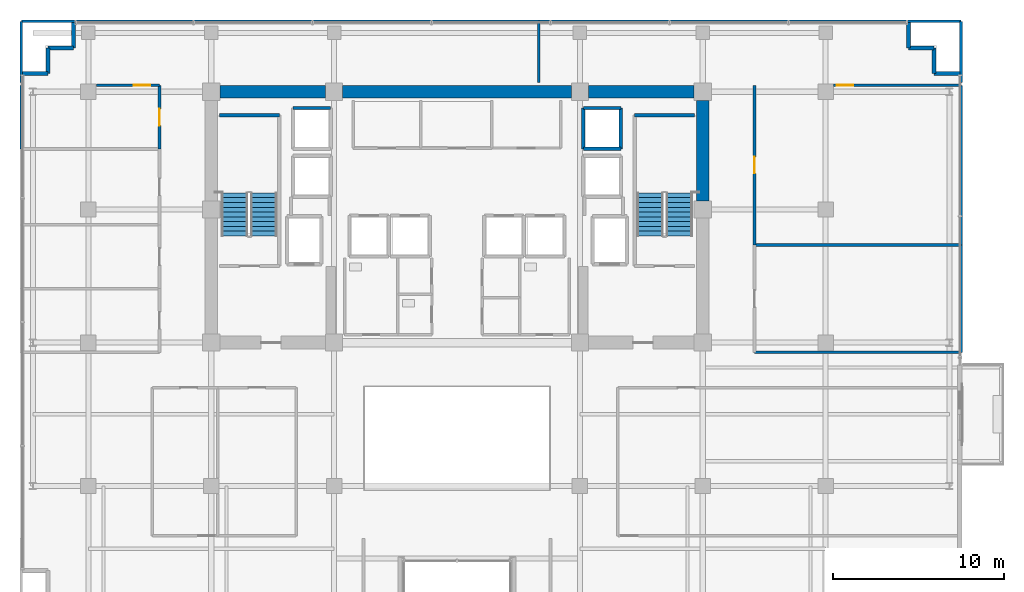
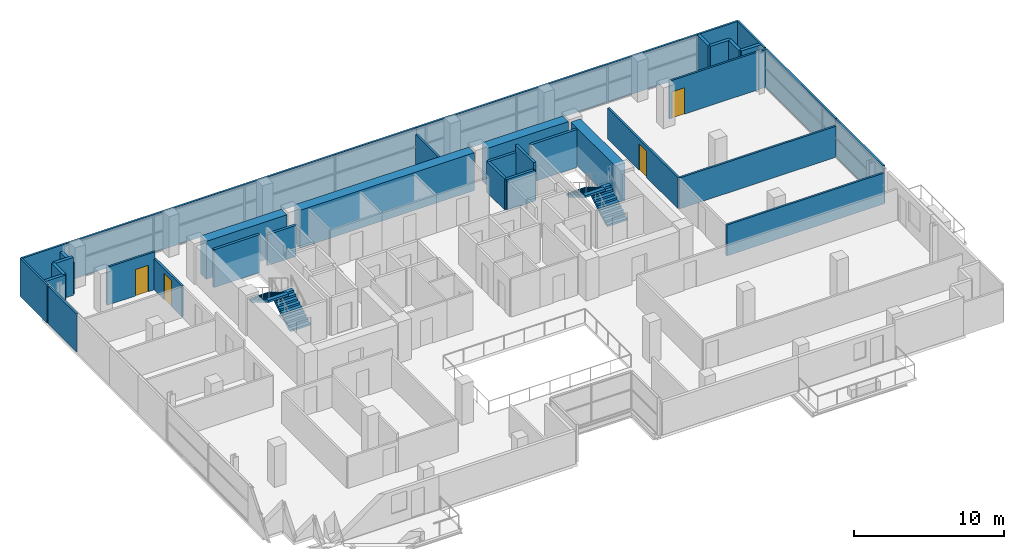
# One storey, part 20 of 24: 33 walls, 4 doors, 4 stair flights, 4 openings, 2 elements without a shape of their own.
"""IFC4 building model written with IfcOpenShell, lengths in metres."""

import ifcopenshell
import ifcopenshell.guid

model = None  # the IFC model being written
_history = None  # IfcOwnerHistory: only IFC2X3 demands one
_inside = {}  # id of a spatial element -> (the spatial element, [elements in it])
_under = {}  # id of a project, library or spatial element -> (it, [spatial elements below it])
_declared = {}  # id of a project -> (the project, [libraries it declares])
_typed = {}  # id of a type object -> (the type object, [elements of that type])
_made_of = {}  # id of a material, layer set ... -> (it, [elements and type objects made of it])


def new_model(schema):
    """Start an empty IFC model of exactly this schema.

    Asked for "IFC4X3", IfcOpenShell would pick the latest addendum, in which some entities
    have other attributes; the version numbers below select the first issue.
    IFC2X3 requires an IfcOwnerHistory on every rooted entity: one is made here for all.
    """
    global model, _history
    if schema == "IFC4X3":
        model = ifcopenshell.file(schema_version=(4, 3, 0, 0))
    else:
        model = ifcopenshell.file(schema=schema)
    _inside.clear()
    _under.clear()
    _declared.clear()
    _typed.clear()
    _made_of.clear()
    _history = None
    if model.schema == "IFC2X3":
        org = make("IfcOrganization", Name="unknown")
        user = make(
            "IfcPersonAndOrganization",
            ThePerson=make("IfcPerson", FamilyName="unknown"),
            TheOrganization=org,
        )
        app = make(
            "IfcApplication",
            ApplicationDeveloper=org,
            Version="unknown",
            ApplicationFullName="unknown",
            ApplicationIdentifier="unknown",
        )
        _history = make(
            "IfcOwnerHistory",
            OwningUser=user,
            OwningApplication=app,
            ChangeAction="ADDED",
            CreationDate=0,
        )
    return model


def make(cls, **values):
    """One entity of the class cls with the attributes given. An attribute that is None is left unset."""
    return model.create_entity(
        cls, **{name: value for name, value in values.items() if value is not None}
    )


def rooted(cls, **values):
    """An entity with a GlobalId (a new one), such as an element, a storey or a relation."""
    return make(cls, GlobalId=ifcopenshell.guid.new(), OwnerHistory=_history, **values)


def si_unit(unit_type, name, prefix=None):
    """IfcSIUnit, for example si_unit("LENGTHUNIT", "METRE", prefix="MILLI")."""
    return make("IfcSIUnit", UnitType=unit_type, Prefix=prefix, Name=name)


def assignment(units):
    """IfcUnitAssignment: the units of a project."""
    return None if units is None else make("IfcUnitAssignment", Units=units)


def point(xyz):
    """IfcCartesianPoint."""
    return None if xyz is None else make("IfcCartesianPoint", Coordinates=xyz)


def direction(xyz):
    """IfcDirection."""
    return None if xyz is None else make("IfcDirection", DirectionRatios=xyz)


def frame(location, z_axis=None, x_axis=None):
    """IfcAxis2Placement3D, a coordinate frame: its origin and axes. An axis left out is left unset."""
    return make(
        "IfcAxis2Placement3D",
        Location=point(location),
        Axis=direction(z_axis),
        RefDirection=direction(x_axis),
    )


def frame_2d(location, x_axis=None):
    """IfcAxis2Placement2D, a coordinate frame in the plane: its origin and x axis."""
    return make(
        "IfcAxis2Placement2D", Location=point(location), RefDirection=direction(x_axis)
    )


def origin():
    """The frame at (0, 0, 0) with its axes left unset."""
    return frame((0.0, 0.0, 0.0))


def place(relative_to, where):
    """IfcLocalPlacement: puts the frame where relative to a parent placement (None: the world)."""
    return make(
        "IfcLocalPlacement", PlacementRelTo=relative_to, RelativePlacement=where
    )


def context(
    kind, dimensions, precision=None, world=None, true_north=None, identifier=None
):
    """IfcGeometricRepresentationContext, for example the 3D "Model" context."""
    return make(
        "IfcGeometricRepresentationContext",
        ContextIdentifier=identifier,
        ContextType=kind,
        CoordinateSpaceDimension=dimensions,
        Precision=precision,
        WorldCoordinateSystem=world,
        TrueNorth=true_north,
    )


def subcontext(parent, identifier, kind, view, scale=None):
    """IfcGeometricRepresentationSubContext, for example "Body" below "Model"."""
    return make(
        "IfcGeometricRepresentationSubContext",
        ContextIdentifier=identifier,
        ContextType=kind,
        ParentContext=parent,
        TargetScale=scale,
        TargetView=view,
    )


def project(units=None, contexts=None):
    """IfcProject with its units and contexts."""
    return rooted(
        "IfcProject",
        Name="project",
        RepresentationContexts=contexts,
        UnitsInContext=assignment(units),
    )


def spatial(cls, under=None, at=None, **own):
    """A site, building, storey or space (cls), placed at a placement, below another one or the project."""
    s = rooted(cls, ObjectPlacement=at, **own)
    if under is not None:
        _under.setdefault(under.id(), (under, []))[1].append(s)
    return s


def polyline(points):
    """IfcPolyline through the points."""
    return make("IfcPolyline", Points=[point(p) for p in points])


def profile(cls, at=None, kind="AREA", **sizes):
    """A parametric profile (cls). Its sizes go by their IFC names, for example OverallWidth=200.0."""
    return make(cls, ProfileType=kind, Position=at, **sizes)


def rectangle(**sizes):
    """IfcRectangleProfileDef."""
    return profile("IfcRectangleProfileDef", **sizes)


def outline(outer, holes=None, kind="AREA"):
    """IfcArbitraryClosedProfileDef: a profile drawn as a closed curve; with holes, ...WithVoids."""
    if holes is None:
        return make("IfcArbitraryClosedProfileDef", ProfileType=kind, OuterCurve=outer)
    return make(
        "IfcArbitraryProfileDefWithVoids",
        ProfileType=kind,
        OuterCurve=outer,
        InnerCurves=holes,
    )


def extrude(swept, where, along, depth):
    """IfcExtrudedAreaSolid: the profile swept, set in the frame where, extruded along a direction by depth."""
    return make(
        "IfcExtrudedAreaSolid",
        SweptArea=swept,
        Position=where,
        ExtrudedDirection=direction(along),
        Depth=depth,
    )


def shape(context_of_items, identifier, shape_type, items):
    """IfcShapeRepresentation: the items that make up one representation, for example the "Body"."""
    return make(
        "IfcShapeRepresentation",
        ContextOfItems=context_of_items,
        RepresentationIdentifier=identifier,
        RepresentationType=shape_type,
        Items=items,
    )


def source(mapping_origin, context_of_items, identifier, shape_type, items):
    """IfcRepresentationMap: a shape defined once, which mapped items show again and again."""
    return make(
        "IfcRepresentationMap",
        MappingOrigin=mapping_origin,
        MappedRepresentation=shape(context_of_items, identifier, shape_type, items),
    )


def transform(
    local_origin,
    x_axis=None,
    y_axis=None,
    z_axis=None,
    scale=None,
    scale2=None,
    scale3=None,
    uniform=True,
):
    """IfcCartesianTransformationOperator3D, or its non-uniform kind. x_axis, y_axis, z_axis: its Axis1, 2, 3."""
    if uniform:
        return make(
            "IfcCartesianTransformationOperator3D",
            Axis1=direction(x_axis),
            Axis2=direction(y_axis),
            LocalOrigin=point(local_origin),
            Scale=scale,
            Axis3=direction(z_axis),
        )
    return make(
        "IfcCartesianTransformationOperator3DnonUniform",
        Axis1=direction(x_axis),
        Axis2=direction(y_axis),
        LocalOrigin=point(local_origin),
        Scale=scale,
        Axis3=direction(z_axis),
        Scale2=scale2,
        Scale3=scale3,
    )


def mapped(mapping_source, mapping_target):
    """IfcMappedItem: shows the shape of a source again, moved by a transform."""
    return make(
        "IfcMappedItem", MappingSource=mapping_source, MappingTarget=mapping_target
    )


def material(Name=None, Category=None):
    """IfcMaterial."""
    return make("IfcMaterial", Name=Name, Category=Category)


def layer(
    of_material, thickness, ventilated=None, Name=None, Category=None, Priority=None
):
    """IfcMaterialLayer: one layer of a wall or slab, of a material (None: an air gap)."""
    return make(
        "IfcMaterialLayer",
        Material=of_material,
        LayerThickness=thickness,
        IsVentilated=ventilated,
        Name=Name,
        Category=Category,
        Priority=Priority,
    )


def layer_set(layers, Name=None):
    """IfcMaterialLayerSet."""
    return make("IfcMaterialLayerSet", MaterialLayers=layers, LayerSetName=Name)


def made_of(thing, what):
    """Note that an element or type object is made of a material, layer set ...; save() writes the relation."""
    if what is not None:
        _made_of.setdefault(what.id(), (what, []))[1].append(thing)
    return thing


def type_object(cls, material=None, **own):
    """A type object (cls), such as IfcWallType, which elements share."""
    return made_of(rooted(cls, **own), material)


def element(
    cls,
    number,
    at=None,
    inside=None,
    cuts=None,
    type_object=None,
    material=None,
    context=None,
    identifier="Body",
    shape_type=None,
    held_by="IfcProductDefinitionShape",
    body=None,
    shapes=None,
    **own,
):
    """One element of the class cls, such as IfcWall. Its Tag is "e" and its number.

    at: its placement. inside: the storey or other place that contains it. cuts: it is an
    opening in that element (IfcRelVoidsElement). A single representation is given by context,
    identifier, shape_type and body (its items); several are given by shapes. held_by: the class
    of the entity that holds the representations. save() writes the other relations.
    """
    e = rooted(cls, Tag="e%d" % number, ObjectPlacement=at, **own)
    if body is not None:
        shapes = [shape(context, identifier, shape_type, body)]
    if shapes is not None:
        e.Representation = make(held_by, Representations=shapes)
    if inside is not None:
        _inside.setdefault(inside.id(), (inside, []))[1].append(e)
    if cuts is not None:
        rooted(
            "IfcRelVoidsElement", RelatingBuildingElement=cuts, RelatedOpeningElement=e
        )
    if type_object is not None:
        _typed.setdefault(type_object.id(), (type_object, []))[1].append(e)
    return made_of(e, material)


def fill(opening, filler):
    """IfcRelFillsElement: the door or window that sits in an opening."""
    return rooted(
        "IfcRelFillsElement",
        RelatingOpeningElement=opening,
        RelatedBuildingElement=filler,
    )


def aggregate(whole, parts):
    """IfcRelAggregates: a whole, such as a stair, and the parts it consists of."""
    return rooted("IfcRelAggregates", RelatingObject=whole, RelatedObjects=parts)


def save(model, path):
    """Write the relations noted so far, then the file.

    IfcRelAggregates (storeys below a building ...), IfcRelContainedInSpatialStructure (elements
    in a storey), IfcRelDefinesByType, IfcRelAssociatesMaterial and IfcRelDeclares: one each for
    every whole, place, type object, material and project.
    """
    for whole, parts in _under.values():
        aggregate(whole, parts)
    for where, things in _inside.values():
        rooted(
            "IfcRelContainedInSpatialStructure",
            RelatedElements=things,
            RelatingStructure=where,
        )
    for kind, things in _typed.values():
        rooted("IfcRelDefinesByType", RelatedObjects=things, RelatingType=kind)
    for what, things in _made_of.values():
        rooted("IfcRelAssociatesMaterial", RelatedObjects=things, RelatingMaterial=what)
    for by, libraries in _declared.values():
        rooted("IfcRelDeclares", RelatingContext=by, RelatedDefinitions=libraries)
    model.write(path)


model = new_model("IFC4")

# Units and contexts
model_context = context("Model", 3, precision=1e-05, world=origin(), true_north=direction((0.0, 1.0)))
body_context = subcontext(model_context, "Body", "Model", "MODEL_VIEW")
ifc_project = project(units=[si_unit("LENGTHUNIT", "METRE"), si_unit("AREAUNIT", "SQUARE_METRE"), si_unit("VOLUMEUNIT", "CUBIC_METRE"), si_unit("PLANEANGLEUNIT", "RADIAN"), si_unit("MASSUNIT", "GRAM", prefix="KILO")], contexts=[model_context])

# Site, building, storey
site_placement = place(None, origin())
site = spatial("IfcSite", under=ifc_project, at=site_placement, CompositionType="ELEMENT")
building_placement = place(site_placement, origin())
building = spatial("IfcBuilding", under=site, at=building_placement, Name="Zarnakvel Exchange Tower", CompositionType="ELEMENT")
storey_placement = place(building_placement, frame((0.0, 0.0, 119.800048828125)))
storey = spatial("IfcBuildingStorey", under=building, at=storey_placement, Name="L33", CompositionType="ELEMENT", Elevation=119.800048828125)

# Walls
ifc_material_1 = material(Name="Concrete C60/75", Category="concrete")
ifc_layer_1 = layer(ifc_material_1, 0.75)
ifc_layer_set_1 = layer_set([ifc_layer_1], Name="Concrete C60/75")
wall_type_1 = type_object("IfcWallType", Name="CW-C3", PredefinedType="SHEAR", material=ifc_layer_set_1)
wall_1_placement = place(storey_placement, frame((-13.89990234375, 13.5, 0.0), z_axis=(0.0, 0.0, 1.0), x_axis=(1.0, 0.0, 0.0)))
element("IfcWall", 1, at=wall_1_placement, inside=storey, type_object=wall_type_1, Name="L33 Rear Core Shear Wall N1 (CW-C3)", PredefinedType="SHEAR", context=body_context, shape_type="SweptSolid", body=[
    extrude(rectangle(XDim=6.199951171875, YDim=0.75, at=frame_2d((3.10009765625, 0.0))), origin(), (0.0, 0.0, 1.0), 3.074951171875),
])
wall_2_placement = place(storey_placement, frame((-6.699951171875, 13.5, 0.0), z_axis=(0.0, 0.0, 1.0), x_axis=(1.0, 0.0, 0.0)))
element("IfcWall", 2, at=wall_2_placement, inside=storey, type_object=wall_type_1, Name="L33 Rear Core Shear Wall N2 (CW-C3)", PredefinedType="SHEAR", context=body_context, shape_type="SweptSolid", body=[
    extrude(rectangle(XDim=13.39990234375, YDim=0.75, at=frame_2d((6.699951171875, 0.0))), origin(), (0.0, 0.0, 1.0), 3.074951171875),
])
wall_3_placement = place(storey_placement, frame((7.699951171875, 13.5, 0.0), z_axis=(0.0, 0.0, 1.0), x_axis=(1.0, 0.0, 0.0)))
element("IfcWall", 3, at=wall_3_placement, inside=storey, type_object=wall_type_1, Name="L33 Rear Core Shear Wall N3 (CW-C3)", PredefinedType="SHEAR", context=body_context, shape_type="SweptSolid", body=[
    extrude(rectangle(XDim=6.199951171875, YDim=0.75, at=frame_2d((3.10009765625, 0.0))), origin(), (0.0, 0.0, 1.0), 3.074951171875),
])
wall_4_placement = place(storey_placement, frame((14.39990234375, 7.10009765625, 0.0), z_axis=(0.0, 0.0, 1.0), x_axis=(0.0, 1.0, 0.0)))
element("IfcWall", 4, at=wall_4_placement, inside=storey, type_object=wall_type_1, Name="L33 Rear Core Shear Wall E2 (CW-C3)", PredefinedType="SHEAR", context=body_context, shape_type="SweptSolid", body=[
    extrude(rectangle(XDim=5.89990234375, YDim=0.75, at=frame_2d((2.949951171875, 0.0))), origin(), (0.0, 0.0, 1.0), 3.074951171875),
])
ifc_material_2 = material(Name="Precast concrete C40/50", Category="concrete")
ifc_layer_2 = layer(ifc_material_2, 0.239990234375)
ifc_layer_set_2 = layer_set([ifc_layer_2], Name="Precast concrete C40/50")
wall_type_2 = type_object("IfcWallType", Name="EW-02", PredefinedType="SOLIDWALL", material=ifc_layer_set_2)
for number, where, z_axis, x_axis, name in (
    (5, (-23.9599609375, 14.56005859375, 0.0), (0.0, 0.0, 1.0), (-1.0, 0.0, 0.0), "L33 Exterior Precast Spandrel Wall EWC-L33-01 (EW-02)"),
    (6, (-23.9599609375, 16.06005859375, 0.0), (0.0, 0.0, 1.0), (0.0, -1.0, 0.0), "L33 Exterior Precast Spandrel Wall EWC-L33-02 (EW-02)"),
    (7, (-22.4599609375, 16.06005859375, 0.0), (0.0, 0.0, 1.0), (-1.0, 0.0, 0.0), "L33 Exterior Precast Spandrel Wall EWC-L33-03 (EW-02)"),
):
    element("IfcWall", number, at=place(storey_placement, frame(where, z_axis=z_axis, x_axis=x_axis)), inside=storey, type_object=wall_type_2, Name=name, PredefinedType="SOLIDWALL", context=body_context, shape_type="SweptSolid", body=[
        extrude(rectangle(XDim=1.5, YDim=0.239990234375, at=frame_2d((0.75, 0.0))), origin(), (0.0, 0.0, 1.0), 3.074951171875),
    ])
wall_5_placement = place(storey_placement, frame((-22.4599609375, 17.56005859375, 0.0), z_axis=(0.0, 0.0, 1.0), x_axis=(0.0, -1.0, 0.0)))
element("IfcWall", 8, at=wall_5_placement, inside=storey, type_object=wall_type_2, Name="L33 Exterior Precast Spandrel Wall EWC-L33-04 (EW-02)", PredefinedType="SOLIDWALL", context=body_context, shape_type="SweptSolid", body=[
    extrude(rectangle(XDim=1.5, YDim=0.239990234375, at=frame_2d((0.75, 0.0))), origin(), (0.0, 0.0, 1.0), 2.56494140625),
])
for number, where, z_axis, x_axis, name in (
    (9, (26.4599609375, 16.06005859375, 0.0), (0.0, 0.0, 1.0), (0.0, 1.0, 0.0), "L33 Exterior Precast Spandrel Wall EWC-L33-05 (EW-02)"),
    (10, (27.9599609375, 16.06005859375, 0.0), (0.0, 0.0, 1.0), (-1.0, 0.0, 0.0), "L33 Exterior Precast Spandrel Wall EWC-L33-06 (EW-02)"),
    (11, (27.9599609375, 14.56005859375, 0.0), (0.0, 0.0, 1.0), (0.0, 1.0, 0.0), "L33 Exterior Precast Spandrel Wall EWC-L33-07 (EW-02)"),
    (12, (29.4599609375, 14.56005859375, 0.0), (0.0, 0.0, 1.0), (-1.0, 0.0, 0.0), "L33 Exterior Precast Spandrel Wall EWC-L33-08 (EW-02)"),
):
    element("IfcWall", number, at=place(storey_placement, frame(where, z_axis=z_axis, x_axis=x_axis)), inside=storey, type_object=wall_type_2, Name=name, PredefinedType="SOLIDWALL", context=body_context, shape_type="SweptSolid", body=[
        extrude(rectangle(XDim=1.5, YDim=0.239990234375, at=frame_2d((0.75, 0.0))), origin(), (0.0, 0.0, 1.0), 3.074951171875),
    ])

# Wall, opening, door
ifc_material_3 = material(Name="Fire-Rated Gypsum Stud Partition", Category="gypsum")
ifc_layer_3 = layer(ifc_material_3, 0.14990234375)
ifc_layer_set_3 = layer_set([ifc_layer_3], Name="Fire-Rated Gypsum Stud Partition")
wall_type_3 = type_object("IfcWallType", Name="PT-01", PredefinedType="PARTITIONING", material=ifc_layer_set_3)
wall_6_placement = place(storey_placement, frame((-21.1298828125, 13.8798828125, 0.0), z_axis=(0.0, 0.0, 1.0), x_axis=(1.0, 0.0, 0.0)))
wall_6 = element("IfcWall", 13, at=wall_6_placement, inside=storey, type_object=wall_type_3, Name="L33 Partition Wall PWALL-L33-061 (PT-01)", PredefinedType="PARTITIONING", context=body_context, shape_type="SweptSolid", body=[
    extrude(rectangle(XDim=3.699951171875, YDim=0.14990234375, at=frame_2d((1.85009765625, 0.0))), origin(), (0.0, 0.0, 1.0), 3.074951171875),
])
opening_1_placement = place(wall_6_placement, frame((2.18994140625, 0.0, 0.0)))
opening_1 = element("IfcOpeningElement", 14, at=opening_1_placement, cuts=wall_6, Name="Opening D-L33-25", PredefinedType="OPENING", context=body_context, shape_type="SweptSolid", body=[
    extrude(rectangle(XDim=0.97998046875, YDim=2.14990234375, at=frame_2d((0.489990234375, 1.074951171875))), frame((0.0, 0.0849609375, 0.0), z_axis=(0.0, -1.0, 0.0), x_axis=(1.0, 0.0, 0.0)), (0.0, 0.0, 1.0), 0.169921875),
])
ifc_material_4 = material(Name="Timber Acoustic Veneer", Category="wood")
door_type = type_object("IfcDoorType", Name="DT-05", OperationType="NOTDEFINED", PredefinedType="DOOR", material=ifc_material_4)
shared_shape = source(origin(), body_context, "Body", "SweptSolid", [
    extrude(rectangle(XDim=0.97998046875, YDim=2.14990234375, at=frame_2d((0.489990234375, 1.074951171875))), frame((0.0, 0.02490234375, 0.0), z_axis=(0.0, -1.0, 0.0), x_axis=(1.0, 0.0, 0.0)), (0.0, 0.0, 1.0), 0.050048828125),
])
door_1_placement = place(opening_1_placement, origin())
door_1 = element("IfcDoor", 15, at=door_1_placement, inside=storey, type_object=door_type, Name="L33 Fintech Workspace Door D-L33-25", OperationType="SINGLE_SWING_LEFT", OverallHeight=2.14990234375, OverallWidth=0.97998046875, PredefinedType="DOOR", context=body_context, shape_type="MappedRepresentation", body=[
    mapped(shared_shape, transform((0.0, 0.0, 0.0), x_axis=(1.0, 0.0, 0.0), y_axis=(0.0, 1.0, 0.0), z_axis=(0.0, 0.0, 1.0), scale=1.0)),
])
fill(opening_1, door_1)

# Wall
wall_7_placement = place(storey_placement, frame((-25.530029296875, 10.146240234375, 0.0), z_axis=(0.0, 0.0, 1.0), x_axis=(0.0, 1.0, 0.0)))
element("IfcWall", 16, at=wall_7_placement, inside=storey, type_object=wall_type_3, Name="L33 Partition Wall PWALL-L33-062 (PT-01)", PredefinedType="PARTITIONING", context=body_context, shape_type="SweptSolid", body=[
    extrude(rectangle(XDim=3.733642578125, YDim=0.14990234375, at=frame_2d((1.86669921875, 0.0))), origin(), (0.0, 0.0, 1.0), 3.074951171875),
])

# Wall, opening, door
wall_8_placement = place(storey_placement, frame((-17.429931640625, 13.8798828125, 0.0), z_axis=(0.0, 0.0, 1.0), x_axis=(0.0, -1.0, 0.0)))
wall_8 = element("IfcWall", 17, at=wall_8_placement, inside=storey, type_object=wall_type_3, Name="L33 Partition Wall PWALL-L33-063 (PT-01)", PredefinedType="PARTITIONING", context=body_context, shape_type="SweptSolid", body=[
    extrude(rectangle(XDim=3.733642578125, YDim=0.14990234375, at=frame_2d((1.86669921875, 0.0))), origin(), (0.0, 0.0, 1.0), 2.514892578125),
])
opening_2_placement = place(wall_8_placement, frame((1.376953125, 0.0, 0.0)))
opening_2 = element("IfcOpeningElement", 18, at=opening_2_placement, cuts=wall_8, Name="Opening D-L33-22", PredefinedType="OPENING", context=body_context, shape_type="SweptSolid", body=[
    extrude(rectangle(XDim=0.97998046875, YDim=2.14990234375, at=frame_2d((0.489990234375, 1.074951171875))), frame((0.0, 0.0849609375, 0.0), z_axis=(0.0, -1.0, 0.0), x_axis=(1.0, 0.0, 0.0)), (0.0, 0.0, 1.0), 0.169921875),
])
door_2_placement = place(opening_2_placement, origin())
door_2 = element("IfcDoor", 19, at=door_2_placement, inside=storey, type_object=door_type, Name="L33 Breakout Lounge Door D-L33-22", OperationType="SINGLE_SWING_RIGHT", OverallHeight=2.14990234375, OverallWidth=0.97998046875, PredefinedType="DOOR", context=body_context, shape_type="MappedRepresentation", body=[
    mapped(shared_shape, transform((0.0, 0.0, 0.0), x_axis=(1.0, 0.0, 0.0), y_axis=(0.0, 1.0, 0.0), z_axis=(0.0, 0.0, 1.0), scale=1.0)),
])
fill(opening_2, door_2)

# Walls
for number, where, z_axis, x_axis, name in (
    (20, (29.530029296875, -1.77001953125, 0.0), (0.0, 0.0, 1.0), (-1.0, 0.0, 0.0), "L33 Partition Wall PWALL-L33-064 (PT-01)"),
    (21, (17.429931640625, 4.52197265625, 0.0), (0.0, 0.0, 1.0), (1.0, 0.0, 0.0), "L33 Partition Wall PWALL-L33-065 (PT-01)"),
):
    element("IfcWall", number, at=place(storey_placement, frame(where, z_axis=z_axis, x_axis=x_axis)), inside=storey, type_object=wall_type_3, Name=name, PredefinedType="PARTITIONING", context=body_context, shape_type="SweptSolid", body=[
        extrude(rectangle(XDim=12.10009765625, YDim=0.14990234375, at=frame_2d((6.050048828125, 0.0))), origin(), (0.0, 0.0, 1.0), 2.514892578125),
    ])
wall_9_placement = place(storey_placement, frame((29.530029296875, 4.52197265625, 0.0), z_axis=(0.0, 0.0, 1.0), x_axis=(0.0, -1.0, 0.0)))
element("IfcWall", 22, at=wall_9_placement, inside=storey, type_object=wall_type_3, Name="L33 Partition Wall PWALL-L33-067 (PT-01)", PredefinedType="PARTITIONING", context=body_context, shape_type="SweptSolid", body=[
    extrude(rectangle(XDim=6.2919921875, YDim=0.14990234375, at=frame_2d((3.14599609375, 0.0))), origin(), (0.0, 0.0, 1.0), 3.074951171875),
])

# Wall, opening, door
wall_10_placement = place(storey_placement, frame((22.070068359375, 13.8798828125, 0.0), z_axis=(0.0, 0.0, 1.0), x_axis=(1.0, 0.0, 0.0)))
wall_10 = element("IfcWall", 23, at=wall_10_placement, inside=storey, type_object=wall_type_3, Name="L33 Partition Wall PWALL-L33-068 (PT-01)", PredefinedType="PARTITIONING", context=body_context, shape_type="SweptSolid", body=[
    extrude(rectangle(XDim=7.4599609375, YDim=0.14990234375, at=frame_2d((3.72998046875, 0.0))), origin(), (0.0, 0.0, 1.0), 3.074951171875),
])
opening_3_placement = place(wall_10_placement, frame((0.179931640625, 0.0, 0.0)))
opening_3 = element("IfcOpeningElement", 24, at=opening_3_placement, cuts=wall_10, Name="Opening D-L33-26", PredefinedType="OPENING", context=body_context, shape_type="SweptSolid", body=[
    extrude(rectangle(XDim=0.97998046875, YDim=2.14990234375, at=frame_2d((0.489990234375, 1.074951171875))), frame((0.0, 0.0849609375, 0.0), z_axis=(0.0, -1.0, 0.0), x_axis=(1.0, 0.0, 0.0)), (0.0, 0.0, 1.0), 0.169921875),
])
door_3_placement = place(opening_3_placement, origin())
door_3 = element("IfcDoor", 25, at=door_3_placement, inside=storey, type_object=door_type, Name="L33 Breakout Lounge Door D-L33-26", OperationType="SINGLE_SWING_RIGHT", OverallHeight=2.14990234375, OverallWidth=0.97998046875, PredefinedType="DOOR", context=body_context, shape_type="MappedRepresentation", body=[
    mapped(shared_shape, transform((0.0, 0.0, 0.0), x_axis=(1.0, 0.0, 0.0), y_axis=(0.0, 1.0, 0.0), z_axis=(0.0, 0.0, 1.0), scale=1.0)),
])
fill(opening_3, door_3)

wall_11_placement = place(storey_placement, frame((17.429931640625, 4.52197265625, 0.0), z_axis=(0.0, 0.0, 1.0), x_axis=(0.0, 1.0, 0.0)))
wall_11 = element("IfcWall", 26, at=wall_11_placement, inside=storey, type_object=wall_type_3, Name="L33 Partition Wall PWALL-L33-069 (PT-01)", PredefinedType="PARTITIONING", context=body_context, shape_type="SweptSolid", body=[
    extrude(rectangle(XDim=9.35791015625, YDim=0.14990234375, at=frame_2d((4.678955078125, 0.0))), origin(), (0.0, 0.0, 1.0), 2.514892578125),
])
opening_4_placement = place(wall_11_placement, frame((4.18896484375, 0.0, 0.0)))
opening_4 = element("IfcOpeningElement", 27, at=opening_4_placement, cuts=wall_11, Name="Opening D-L33-24", PredefinedType="OPENING", context=body_context, shape_type="SweptSolid", body=[
    extrude(rectangle(XDim=0.97998046875, YDim=2.14990234375, at=frame_2d((0.489990234375, 1.074951171875))), frame((0.0, 0.0849609375, 0.0), z_axis=(0.0, -1.0, 0.0), x_axis=(1.0, 0.0, 0.0)), (0.0, 0.0, 1.0), 0.169921875),
])
door_4_placement = place(opening_4_placement, origin())
door_4 = element("IfcDoor", 28, at=door_4_placement, inside=storey, type_object=door_type, Name="L33 Fintech Workspace Door D-L33-24", OperationType="SINGLE_SWING_RIGHT", OverallHeight=2.14990234375, OverallWidth=0.97998046875, PredefinedType="DOOR", context=body_context, shape_type="MappedRepresentation", body=[
    mapped(shared_shape, transform((0.0, 0.0, 0.0), x_axis=(1.0, 0.0, 0.0), y_axis=(0.0, 1.0, 0.0), z_axis=(0.0, 0.0, 1.0), scale=1.0)),
])
fill(opening_4, door_4)

# Walls
wall_12_placement = place(storey_placement, frame((29.530029296875, 13.8798828125, 0.0), z_axis=(0.0, 0.0, 1.0), x_axis=(0.0, -1.0, 0.0)))
element("IfcWall", 29, at=wall_12_placement, inside=storey, type_object=wall_type_3, Name="L33 Partition Wall PWALL-L33-070 (PT-01)", PredefinedType="PARTITIONING", context=body_context, shape_type="SweptSolid", body=[
    extrude(rectangle(XDim=9.35791015625, YDim=0.14990234375, at=frame_2d((4.678955078125, 0.0))), origin(), (0.0, 0.0, 1.0), 3.074951171875),
])
wall_13_placement = place(storey_placement, frame((-25.530029296875, 17.6298828125, 0.0), z_axis=(0.0, 0.0, 1.0), x_axis=(1.0, 0.0, 0.0)))
element("IfcWall", 30, at=wall_13_placement, inside=storey, type_object=wall_type_3, Name="L33 Partition Wall PWALL-L33-071 (PT-01)", PredefinedType="PARTITIONING", context=body_context, shape_type="SweptSolid", body=[
    extrude(rectangle(XDim=30.330078125, YDim=0.14990234375, at=frame_2d((15.1650390625, 0.0))), origin(), (0.0, 0.0, 1.0), 3.074951171875),
])
wall_14_placement = place(storey_placement, frame((-25.530029296875, 14.030029296875, 0.0), z_axis=(0.0, 0.0, 1.0), x_axis=(0.0, 1.0, 0.0)))
element("IfcWall", 31, at=wall_14_placement, inside=storey, type_object=wall_type_3, Name="L33 Partition Wall PWALL-L33-072 (PT-01)", PredefinedType="PARTITIONING", context=body_context, shape_type="SweptSolid", body=[
    extrude(rectangle(XDim=3.599853515625, YDim=0.14990234375, at=frame_2d((1.7998046875, 0.0))), origin(), (0.0, 0.0, 1.0), 3.074951171875),
])
wall_15_placement = place(storey_placement, frame((4.800048828125, 17.6298828125, 0.0), z_axis=(0.0, 0.0, 1.0), x_axis=(0.0, -1.0, 0.0)))
element("IfcWall", 32, at=wall_15_placement, inside=storey, type_object=wall_type_3, Name="L33 Partition Wall PWALL-L33-073 (PT-01)", PredefinedType="PARTITIONING", context=body_context, shape_type="SweptSolid", body=[
    extrude(rectangle(XDim=3.599853515625, YDim=0.14990234375, at=frame_2d((1.7998046875, 0.0))), origin(), (0.0, 0.0, 1.0), 2.56494140625),
])
wall_16_placement = place(storey_placement, frame((4.800048828125, 17.6298828125, 0.0), z_axis=(0.0, 0.0, 1.0), x_axis=(1.0, 0.0, 0.0)))
element("IfcWall", 33, at=wall_16_placement, inside=storey, type_object=wall_type_3, Name="L33 Partition Wall PWALL-L33-074 (PT-01)", PredefinedType="PARTITIONING", context=body_context, shape_type="SweptSolid", body=[
    extrude(rectangle(XDim=24.72998046875, YDim=0.14990234375, at=frame_2d((12.364990234375, 0.0))), origin(), (0.0, 0.0, 1.0), 3.074951171875),
])
wall_17_placement = place(storey_placement, frame((29.530029296875, 17.6298828125, 0.0), z_axis=(0.0, 0.0, 1.0), x_axis=(0.0, -1.0, 0.0)))
element("IfcWall", 34, at=wall_17_placement, inside=storey, type_object=wall_type_3, Name="L33 Partition Wall PWALL-L33-075 (PT-01)", PredefinedType="PARTITIONING", context=body_context, shape_type="SweptSolid", body=[
    extrude(rectangle(XDim=3.599853515625, YDim=0.14990234375, at=frame_2d((1.7998046875, 0.0))), origin(), (0.0, 0.0, 1.0), 3.074951171875),
])
ifc_material_5 = material(Name="Concrete C40/50", Category="concrete")
ifc_layer_4 = layer(ifc_material_5, 0.199951171875)
ifc_layer_set_4 = layer_set([ifc_layer_4], Name="Concrete C40/50")
wall_type_4 = type_object("IfcWallType", Name="SW-01", PredefinedType="SOLIDWALL", material=ifc_layer_set_4)
for number, where, z_axis, x_axis, name in (
    (35, (-9.60009765625, 12.550048828125, 0.0), (0.0, 0.0, 1.0), (1.0, 0.0, 0.0), "L33 PL-10 Hoistway Wall North"),
    (36, (9.60009765625, 10.14990234375, 0.0), (0.0, 0.0, 1.0), (-1.0, 0.0, 0.0), "L33 PL-12 Hoistway Wall South"),
    (37, (7.39990234375, 12.550048828125, 0.0), (0.0, 0.0, 1.0), (1.0, 0.0, 0.0), "L33 PL-12 Hoistway Wall North"),
):
    element("IfcWall", number, at=place(storey_placement, frame(where, z_axis=z_axis, x_axis=x_axis)), inside=storey, type_object=wall_type_4, Name=name, PredefinedType="SOLIDWALL", context=body_context, shape_type="SweptSolid", body=[
        extrude(rectangle(XDim=2.2001953125, YDim=0.199951171875, at=frame_2d((1.10009765625, 0.0))), origin(), (0.0, 0.0, 1.0), 2.514892578125),
    ])
wall_18_placement = place(storey_placement, frame((7.39990234375, 10.14990234375, 0.0), z_axis=(0.0, 0.0, 1.0), x_axis=(0.0, 1.0, 0.0)))
element("IfcWall", 38, at=wall_18_placement, inside=storey, type_object=wall_type_4, Name="L33 PL-12 Hoistway Wall West", PredefinedType="SOLIDWALL", context=body_context, shape_type="SweptSolid", body=[
    extrude(rectangle(XDim=2.400146484375, YDim=0.199951171875, at=frame_2d((1.2001953125, 0.0))), origin(), (0.0, 0.0, 1.0), 2.514892578125),
])
wall_19_placement = place(storey_placement, frame((9.60009765625, 12.550048828125, 0.0), z_axis=(0.0, 0.0, 1.0), x_axis=(0.0, -1.0, 0.0)))
element("IfcWall", 39, at=wall_19_placement, inside=storey, type_object=wall_type_4, Name="L33 PL-12 Hoistway Wall East", PredefinedType="SOLIDWALL", context=body_context, shape_type="SweptSolid", body=[
    extrude(rectangle(XDim=2.400146484375, YDim=0.199951171875, at=frame_2d((1.2001953125, 0.0))), origin(), (0.0, 0.0, 1.0), 3.074951171875),
])
ifc_layer_5 = layer(ifc_material_5, 0.199951171875)
ifc_layer_set_5 = layer_set([ifc_layer_5], Name="Concrete C40/50")
wall_type_5 = type_object("IfcWallType", Name="SW-02", PredefinedType="SOLIDWALL", material=ifc_layer_set_5)
for number, where, z_axis, x_axis, name in (
    (40, (-13.929931640625, 12.1298828125, 0.0), (0.0, 0.0, 1.0), (1.0, 0.0, 0.0), "L33 Stairwell Core Wall PWALL-L33-002 (SW-02)"),
    (41, (10.409912109375, 12.1298828125, 0.0), (0.0, 0.0, 1.0), (1.0, 0.0, 0.0), "L33 Stairwell Core Wall PWALL-L33-005 (SW-02)"),
):
    element("IfcWall", number, at=place(storey_placement, frame(where, z_axis=z_axis, x_axis=x_axis)), inside=storey, type_object=wall_type_5, Name=name, PredefinedType="SOLIDWALL", context=body_context, shape_type="SweptSolid", body=[
        extrude(rectangle(XDim=3.52001953125, YDim=0.199951171875, at=frame_2d((1.760009765625, 0.0))), origin(), (0.0, 0.0, 1.0), 3.074951171875),
    ])

# Stair, stair flights
stair_type = type_object("IfcStairType", Name="STR-01", PredefinedType="HALF_TURN_STAIR", material=ifc_material_5)
stair_1_placement = place(storey_placement, origin())
stair_1 = element("IfcStair", 42, at=stair_1_placement, inside=storey, type_object=stair_type, Name="L33 Protected Core Exit Stair ST-01", PredefinedType="HALF_TURN_STAIR")
stair_flight_type = type_object("IfcStairFlightType", Name="FLT-01", PredefinedType="STRAIGHT", material=ifc_material_5)
stair_flight_1_placement = place(storey_placement, frame((-11.31494140625, 5.050048828125, 0.0), z_axis=(0.0, 0.0, 1.0), x_axis=(0.0, 1.0, 0.0)))
stair_flight_1 = element("IfcStairFlight", 43, at=stair_flight_1_placement, type_object=stair_flight_type, Name="ST-01 flight 1", NumberOfRisers=10, NumberOfTreads=9, PredefinedType="STRAIGHT", RiserHeight=0.165, TreadLength=0.28, context=body_context, shape_type="SweptSolid", body=[
    extrude(outline(polyline([(0.0, 0.0), (0.0, 0.1650390625), (0.280029296875, 0.1650390625), (0.280029296875, 0.330078125), (0.56005859375, 0.330078125), (0.56005859375, 0.4951171875), (0.840087890625, 0.4951171875), (0.840087890625, 0.659912109375), (1.1201171875, 0.659912109375), (1.1201171875, 0.824951171875), (1.39990234375, 0.824951171875), (1.39990234375, 0.989990234375), (1.679931640625, 0.989990234375), (1.679931640625, 1.155029296875), (1.9599609375, 1.155029296875), (1.9599609375, 1.320068359375), (2.239990234375, 1.320068359375), (2.239990234375, 1.485107421875), (2.52001953125, 1.485107421875), (2.52001953125, 1.64990234375), (2.52001953125, 1.31103515625), (0.295166015625, 0.0), (0.0, 0.0)])), frame((0.0, 0.77490234375, 0.0), z_axis=(0.0, -1.0, 0.0), x_axis=(1.0, 0.0, 0.0)), (0.0, 0.0, 1.0), 1.550048828125),
])
stair_flight_2_placement = place(storey_placement, frame((-13.02490234375, 7.570068359375, 1.64990234375), z_axis=(0.0, 0.0, 1.0), x_axis=(0.0, -1.0, 0.0)))
stair_flight_2 = element("IfcStairFlight", 44, at=stair_flight_2_placement, type_object=stair_flight_type, Name="ST-01 flight 2", NumberOfRisers=10, NumberOfTreads=9, PredefinedType="STRAIGHT", RiserHeight=0.165, TreadLength=0.28, context=body_context, shape_type="SweptSolid", body=[
    extrude(outline(polyline([(0.0, 0.0), (0.0, 0.1650390625), (0.280029296875, 0.1650390625), (0.280029296875, 0.330078125), (0.56005859375, 0.330078125), (0.56005859375, 0.4951171875), (0.840087890625, 0.4951171875), (0.840087890625, 0.659912109375), (1.1201171875, 0.659912109375), (1.1201171875, 0.824951171875), (1.39990234375, 0.824951171875), (1.39990234375, 0.989990234375), (1.679931640625, 0.989990234375), (1.679931640625, 1.155029296875), (1.9599609375, 1.155029296875), (1.9599609375, 1.320068359375), (2.239990234375, 1.320068359375), (2.239990234375, 1.485107421875), (2.52001953125, 1.485107421875), (2.52001953125, 1.64990234375), (2.52001953125, 1.31103515625), (0.295166015625, 0.0), (0.0, 0.0)])), frame((0.0, 0.77490234375, 0.0), z_axis=(0.0, -1.0, 0.0), x_axis=(1.0, 0.0, 0.0)), (0.0, 0.0, 1.0), 1.550048828125),
])
aggregate(stair_1, [stair_flight_1, stair_flight_2])

stair_2_placement = place(storey_placement, origin())
stair_2 = element("IfcStair", 45, at=stair_2_placement, inside=storey, type_object=stair_type, Name="L33 Protected Core Exit Stair ST-02", PredefinedType="HALF_TURN_STAIR")
stair_flight_3_placement = place(storey_placement, frame((13.02490234375, 5.050048828125, 0.0), z_axis=(0.0, 0.0, 1.0), x_axis=(0.0, 1.0, 0.0)))
stair_flight_3 = element("IfcStairFlight", 46, at=stair_flight_3_placement, type_object=stair_flight_type, Name="ST-02 flight 1", NumberOfRisers=10, NumberOfTreads=9, PredefinedType="STRAIGHT", RiserHeight=0.165, TreadLength=0.28, context=body_context, shape_type="SweptSolid", body=[
    extrude(outline(polyline([(0.0, 0.0), (0.0, 0.1650390625), (0.280029296875, 0.1650390625), (0.280029296875, 0.330078125), (0.56005859375, 0.330078125), (0.56005859375, 0.4951171875), (0.840087890625, 0.4951171875), (0.840087890625, 0.659912109375), (1.1201171875, 0.659912109375), (1.1201171875, 0.824951171875), (1.39990234375, 0.824951171875), (1.39990234375, 0.989990234375), (1.679931640625, 0.989990234375), (1.679931640625, 1.155029296875), (1.9599609375, 1.155029296875), (1.9599609375, 1.320068359375), (2.239990234375, 1.320068359375), (2.239990234375, 1.485107421875), (2.52001953125, 1.485107421875), (2.52001953125, 1.64990234375), (2.52001953125, 1.31103515625), (0.295166015625, 0.0), (0.0, 0.0)])), frame((0.0, 0.77490234375, 0.0), z_axis=(0.0, -1.0, 0.0), x_axis=(1.0, 0.0, 0.0)), (0.0, 0.0, 1.0), 1.550048828125),
])
stair_flight_4_placement = place(storey_placement, frame((11.31494140625, 7.570068359375, 1.64990234375), z_axis=(0.0, 0.0, 1.0), x_axis=(0.0, -1.0, 0.0)))
stair_flight_4 = element("IfcStairFlight", 47, at=stair_flight_4_placement, type_object=stair_flight_type, Name="ST-02 flight 2", NumberOfRisers=10, NumberOfTreads=9, PredefinedType="STRAIGHT", RiserHeight=0.165, TreadLength=0.28, context=body_context, shape_type="SweptSolid", body=[
    extrude(outline(polyline([(0.0, 0.0), (0.0, 0.1650390625), (0.280029296875, 0.1650390625), (0.280029296875, 0.330078125), (0.56005859375, 0.330078125), (0.56005859375, 0.4951171875), (0.840087890625, 0.4951171875), (0.840087890625, 0.659912109375), (1.1201171875, 0.659912109375), (1.1201171875, 0.824951171875), (1.39990234375, 0.824951171875), (1.39990234375, 0.989990234375), (1.679931640625, 0.989990234375), (1.679931640625, 1.155029296875), (1.9599609375, 1.155029296875), (1.9599609375, 1.320068359375), (2.239990234375, 1.320068359375), (2.239990234375, 1.485107421875), (2.52001953125, 1.485107421875), (2.52001953125, 1.64990234375), (2.52001953125, 1.31103515625), (0.295166015625, 0.0), (0.0, 0.0)])), frame((0.0, 0.77490234375, 0.0), z_axis=(0.0, -1.0, 0.0), x_axis=(1.0, 0.0, 0.0)), (0.0, 0.0, 1.0), 1.550048828125),
])
aggregate(stair_2, [stair_flight_3, stair_flight_4])

save(model, "model.ifc")
